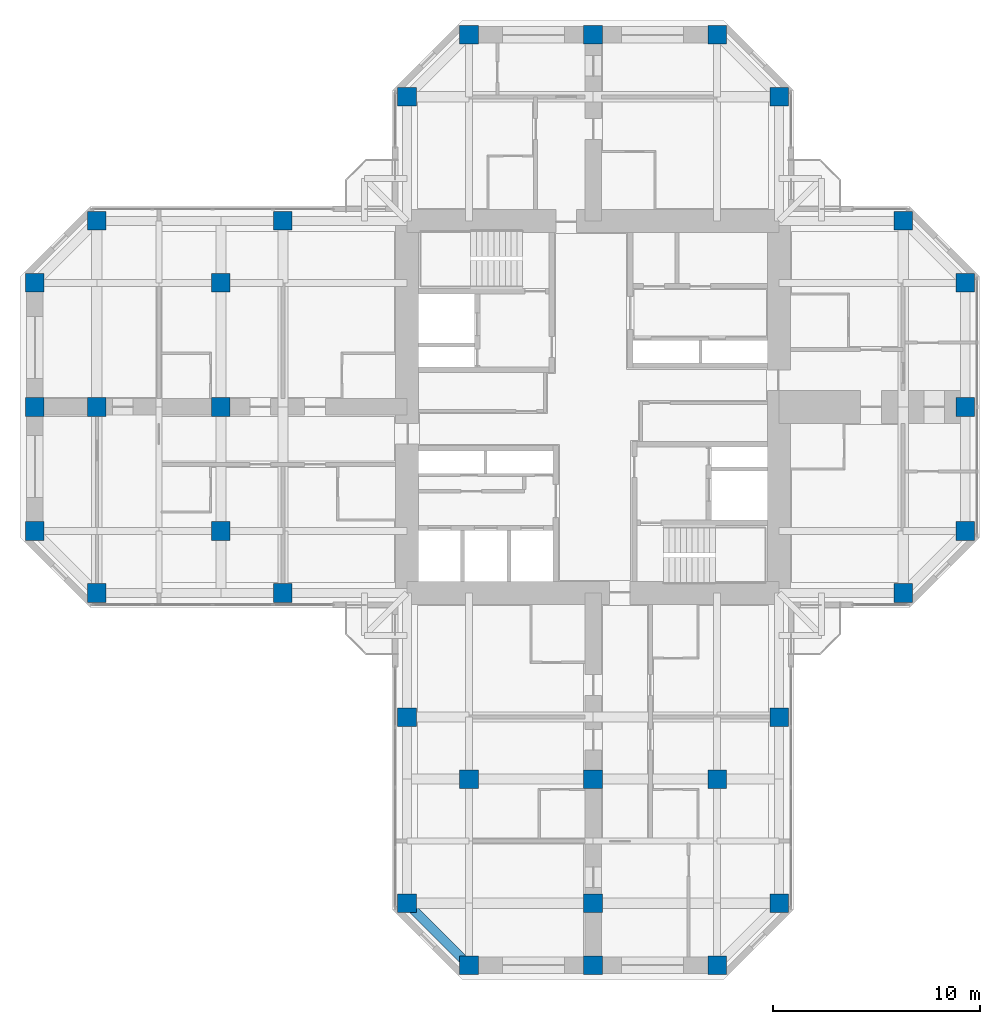
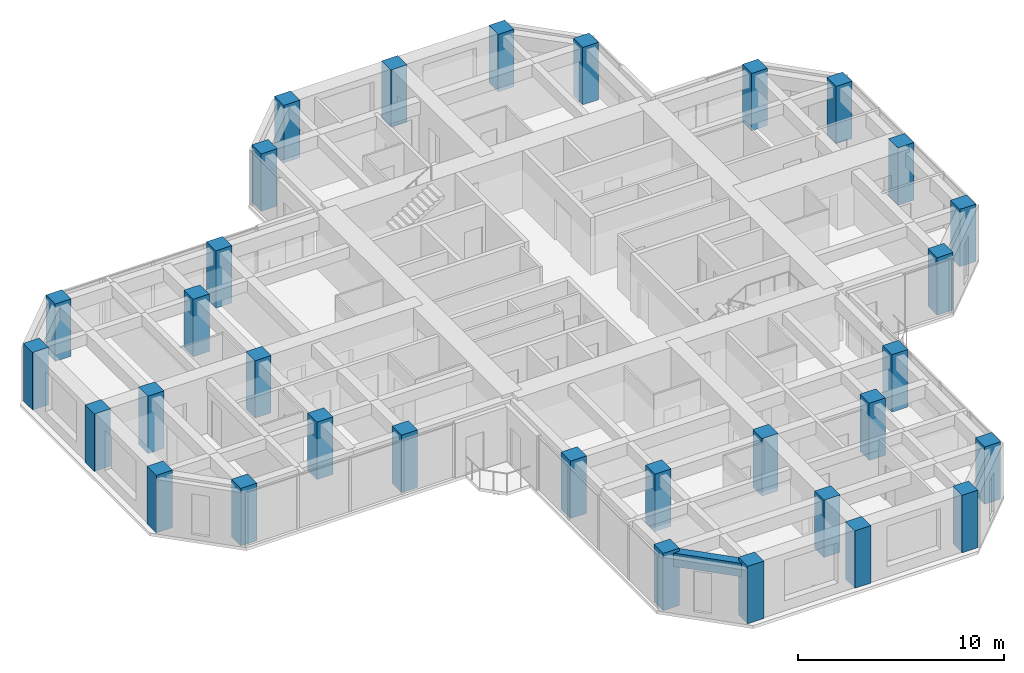
# One storey, part 1 of 14: 32 columns, 1 beam.
"""IFC4 building model written with IfcOpenShell, lengths in metres."""

import ifcopenshell
import ifcopenshell.guid

model = None  # the IFC model being written
_history = None  # IfcOwnerHistory: only IFC2X3 demands one
_inside = {}  # id of a spatial element -> (the spatial element, [elements in it])
_under = {}  # id of a project, library or spatial element -> (it, [spatial elements below it])
_declared = {}  # id of a project -> (the project, [libraries it declares])
_typed = {}  # id of a type object -> (the type object, [elements of that type])
_made_of = {}  # id of a material, layer set ... -> (it, [elements and type objects made of it])


def new_model(schema):
    """Start an empty IFC model of exactly this schema.

    Asked for "IFC4X3", IfcOpenShell would pick the latest addendum, in which some entities
    have other attributes; the version numbers below select the first issue.
    IFC2X3 requires an IfcOwnerHistory on every rooted entity: one is made here for all.
    """
    global model, _history
    if schema == "IFC4X3":
        model = ifcopenshell.file(schema_version=(4, 3, 0, 0))
    else:
        model = ifcopenshell.file(schema=schema)
    _inside.clear()
    _under.clear()
    _declared.clear()
    _typed.clear()
    _made_of.clear()
    _history = None
    if model.schema == "IFC2X3":
        org = make("IfcOrganization", Name="unknown")
        user = make(
            "IfcPersonAndOrganization",
            ThePerson=make("IfcPerson", FamilyName="unknown"),
            TheOrganization=org,
        )
        app = make(
            "IfcApplication",
            ApplicationDeveloper=org,
            Version="unknown",
            ApplicationFullName="unknown",
            ApplicationIdentifier="unknown",
        )
        _history = make(
            "IfcOwnerHistory",
            OwningUser=user,
            OwningApplication=app,
            ChangeAction="ADDED",
            CreationDate=0,
        )
    return model


def make(cls, **values):
    """One entity of the class cls with the attributes given. An attribute that is None is left unset."""
    return model.create_entity(
        cls, **{name: value for name, value in values.items() if value is not None}
    )


def rooted(cls, **values):
    """An entity with a GlobalId (a new one), such as an element, a storey or a relation."""
    return make(cls, GlobalId=ifcopenshell.guid.new(), OwnerHistory=_history, **values)


def si_unit(unit_type, name, prefix=None):
    """IfcSIUnit, for example si_unit("LENGTHUNIT", "METRE", prefix="MILLI")."""
    return make("IfcSIUnit", UnitType=unit_type, Prefix=prefix, Name=name)


def assignment(units):
    """IfcUnitAssignment: the units of a project."""
    return None if units is None else make("IfcUnitAssignment", Units=units)


def point(xyz):
    """IfcCartesianPoint."""
    return None if xyz is None else make("IfcCartesianPoint", Coordinates=xyz)


def direction(xyz):
    """IfcDirection."""
    return None if xyz is None else make("IfcDirection", DirectionRatios=xyz)


def frame(location, z_axis=None, x_axis=None):
    """IfcAxis2Placement3D, a coordinate frame: its origin and axes. An axis left out is left unset."""
    return make(
        "IfcAxis2Placement3D",
        Location=point(location),
        Axis=direction(z_axis),
        RefDirection=direction(x_axis),
    )


def frame_2d(location, x_axis=None):
    """IfcAxis2Placement2D, a coordinate frame in the plane: its origin and x axis."""
    return make(
        "IfcAxis2Placement2D", Location=point(location), RefDirection=direction(x_axis)
    )


def origin():
    """The frame at (0, 0, 0) with its axes left unset."""
    return frame((0.0, 0.0, 0.0))


def origin_2d():
    """The frame at (0, 0) in the plane with its x axis left unset."""
    return frame_2d((0.0, 0.0))


def place(relative_to, where):
    """IfcLocalPlacement: puts the frame where relative to a parent placement (None: the world)."""
    return make(
        "IfcLocalPlacement", PlacementRelTo=relative_to, RelativePlacement=where
    )


def context(
    kind, dimensions, precision=None, world=None, true_north=None, identifier=None
):
    """IfcGeometricRepresentationContext, for example the 3D "Model" context."""
    return make(
        "IfcGeometricRepresentationContext",
        ContextIdentifier=identifier,
        ContextType=kind,
        CoordinateSpaceDimension=dimensions,
        Precision=precision,
        WorldCoordinateSystem=world,
        TrueNorth=true_north,
    )


def subcontext(parent, identifier, kind, view, scale=None):
    """IfcGeometricRepresentationSubContext, for example "Body" below "Model"."""
    return make(
        "IfcGeometricRepresentationSubContext",
        ContextIdentifier=identifier,
        ContextType=kind,
        ParentContext=parent,
        TargetScale=scale,
        TargetView=view,
    )


def project(units=None, contexts=None):
    """IfcProject with its units and contexts."""
    return rooted(
        "IfcProject",
        Name="project",
        RepresentationContexts=contexts,
        UnitsInContext=assignment(units),
    )


def spatial(cls, under=None, at=None, **own):
    """A site, building, storey or space (cls), placed at a placement, below another one or the project."""
    s = rooted(cls, ObjectPlacement=at, **own)
    if under is not None:
        _under.setdefault(under.id(), (under, []))[1].append(s)
    return s


def profile(cls, at=None, kind="AREA", **sizes):
    """A parametric profile (cls). Its sizes go by their IFC names, for example OverallWidth=200.0."""
    return make(cls, ProfileType=kind, Position=at, **sizes)


def rectangle(**sizes):
    """IfcRectangleProfileDef."""
    return profile("IfcRectangleProfileDef", **sizes)


def extrude(swept, where, along, depth):
    """IfcExtrudedAreaSolid: the profile swept, set in the frame where, extruded along a direction by depth."""
    return make(
        "IfcExtrudedAreaSolid",
        SweptArea=swept,
        Position=where,
        ExtrudedDirection=direction(along),
        Depth=depth,
    )


def shape(context_of_items, identifier, shape_type, items):
    """IfcShapeRepresentation: the items that make up one representation, for example the "Body"."""
    return make(
        "IfcShapeRepresentation",
        ContextOfItems=context_of_items,
        RepresentationIdentifier=identifier,
        RepresentationType=shape_type,
        Items=items,
    )


def material(Name=None, Category=None):
    """IfcMaterial."""
    return make("IfcMaterial", Name=Name, Category=Category)


def material_profile(
    of_material, cross_section, Name=None, Category=None, Priority=None
):
    """IfcMaterialProfile: a cross section and its material."""
    return make(
        "IfcMaterialProfile",
        Name=Name,
        Material=of_material,
        Profile=cross_section,
        Priority=Priority,
        Category=Category,
    )


def profile_set(profiles, Name=None, composite=None):
    """IfcMaterialProfileSet."""
    return make(
        "IfcMaterialProfileSet",
        Name=Name,
        MaterialProfiles=profiles,
        CompositeProfile=composite,
    )


def made_of(thing, what):
    """Note that an element or type object is made of a material, layer set ...; save() writes the relation."""
    if what is not None:
        _made_of.setdefault(what.id(), (what, []))[1].append(thing)
    return thing


def type_object(cls, material=None, **own):
    """A type object (cls), such as IfcWallType, which elements share."""
    return made_of(rooted(cls, **own), material)


def element(
    cls,
    number,
    at=None,
    inside=None,
    cuts=None,
    type_object=None,
    material=None,
    context=None,
    identifier="Body",
    shape_type=None,
    held_by="IfcProductDefinitionShape",
    body=None,
    shapes=None,
    **own,
):
    """One element of the class cls, such as IfcWall. Its Tag is "e" and its number.

    at: its placement. inside: the storey or other place that contains it. cuts: it is an
    opening in that element (IfcRelVoidsElement). A single representation is given by context,
    identifier, shape_type and body (its items); several are given by shapes. held_by: the class
    of the entity that holds the representations. save() writes the other relations.
    """
    e = rooted(cls, Tag="e%d" % number, ObjectPlacement=at, **own)
    if body is not None:
        shapes = [shape(context, identifier, shape_type, body)]
    if shapes is not None:
        e.Representation = make(held_by, Representations=shapes)
    if inside is not None:
        _inside.setdefault(inside.id(), (inside, []))[1].append(e)
    if cuts is not None:
        rooted(
            "IfcRelVoidsElement", RelatingBuildingElement=cuts, RelatedOpeningElement=e
        )
    if type_object is not None:
        _typed.setdefault(type_object.id(), (type_object, []))[1].append(e)
    return made_of(e, material)


def aggregate(whole, parts):
    """IfcRelAggregates: a whole, such as a stair, and the parts it consists of."""
    return rooted("IfcRelAggregates", RelatingObject=whole, RelatedObjects=parts)


def save(model, path):
    """Write the relations noted so far, then the file.

    IfcRelAggregates (storeys below a building ...), IfcRelContainedInSpatialStructure (elements
    in a storey), IfcRelDefinesByType, IfcRelAssociatesMaterial and IfcRelDeclares: one each for
    every whole, place, type object, material and project.
    """
    for whole, parts in _under.values():
        aggregate(whole, parts)
    for where, things in _inside.values():
        rooted(
            "IfcRelContainedInSpatialStructure",
            RelatedElements=things,
            RelatingStructure=where,
        )
    for kind, things in _typed.values():
        rooted("IfcRelDefinesByType", RelatedObjects=things, RelatingType=kind)
    for what, things in _made_of.values():
        rooted("IfcRelAssociatesMaterial", RelatedObjects=things, RelatingMaterial=what)
    for by, libraries in _declared.values():
        rooted("IfcRelDeclares", RelatingContext=by, RelatedDefinitions=libraries)
    model.write(path)


model = new_model("IFC4")

# Units and contexts
model_context = context("Model", 3, precision=1e-05, world=origin(), true_north=direction((0.0, 1.0)))
body_context = subcontext(model_context, "Body", "Model", "MODEL_VIEW")
ifc_project = project(units=[si_unit("LENGTHUNIT", "METRE"), si_unit("AREAUNIT", "SQUARE_METRE"), si_unit("VOLUMEUNIT", "CUBIC_METRE"), si_unit("PLANEANGLEUNIT", "RADIAN"), si_unit("MASSUNIT", "GRAM", prefix="KILO")], contexts=[model_context])

# Site, building, storey
site_placement = place(None, origin())
site = spatial("IfcSite", under=ifc_project, at=site_placement, CompositionType="ELEMENT")
building_placement = place(site_placement, origin())
building = spatial("IfcBuilding", under=site, at=building_placement, Name="Torre Cruceta", CompositionType="ELEMENT")
storey_placement = place(building_placement, frame((0.0, 0.0, 172.89990234375)))
storey = spatial("IfcBuildingStorey", under=building, at=storey_placement, Name="L42", CompositionType="ELEMENT", Elevation=172.89990234375)

# Columns
ifc_material_1 = material(Name="Concrete G60 (fck 60 MPa)", Category="concrete")
ifc_material_profile_1 = material_profile(ifc_material_1, rectangle(XDim=0.89990234375, YDim=0.89990234375, at=origin_2d()), Name="RC 900X900")
ifc_profile_set_1 = profile_set([ifc_material_profile_1], Name="Concrete G60 (fck 60 MPa)")
column_type = type_object("IfcColumnType", Name="COLUMN RC 900X900", PredefinedType="COLUMN", material=ifc_profile_set_1)
for number, where, z_axis, x_axis, name in (
    (1, (9.0, 15.0, 0.0), (0.0, 0.0, 1.0), (1.0, 0.0, 0.0), "C6 L42 N chamfer"),
    (2, (-9.0, 15.0, 0.0), (0.0, 0.0, 1.0), (1.0, 0.0, 0.0), "C6 L42 N chamfer"),
    (3, (6.0, 18.0, 0.0), (0.0, 0.0, 1.0), (1.0, 0.0, 0.0), "C6 L42 N tip"),
    (4, (0.0, 18.0, 0.0), (0.0, 0.0, 1.0), (1.0, 0.0, 0.0), "C6 L42 N tip"),
    (5, (-6.0, 18.0, 0.0), (0.0, 0.0, 1.0), (1.0, 0.0, 0.0), "C6 L42 N tip"),
    (6, (15.0, -9.0, 0.0), (0.0, 0.0, 1.0), (1.0, 0.0, 0.0), "C6 L42 E chamfer"),
    (7, (15.0, 9.0, 0.0), (0.0, 0.0, 1.0), (1.0, 0.0, 0.0), "C6 L42 E chamfer"),
    (8, (18.0, -6.0, 0.0), (0.0, 0.0, 1.0), (1.0, 0.0, 0.0), "C6 L42 E tip"),
    (9, (18.0, 0.0, 0.0), (0.0, 0.0, 1.0), (1.0, 0.0, 0.0), "C6 L42 E tip"),
    (10, (18.0, 6.0, 0.0), (0.0, 0.0, 1.0), (1.0, 0.0, 0.0), "C6 L42 E tip"),
    (11, (-9.0, -15.0, 0.0), (0.0, 0.0, 1.0), (1.0, 0.0, 0.0), "C6 L42 S side"),
    (12, (-9.0, -24.0, 0.0), (0.0, 0.0, 1.0), (1.0, 0.0, 0.0), "C6 L42 S chamfer"),
    (13, (9.0, -15.0, 0.0), (0.0, 0.0, 1.0), (1.0, 0.0, 0.0), "C6 L42 S side"),
    (14, (9.0, -24.0, 0.0), (0.0, 0.0, 1.0), (1.0, 0.0, 0.0), "C6 L42 S chamfer"),
    (15, (-6.0, -27.0, 0.0), (0.0, 0.0, 1.0), (1.0, 0.0, 0.0), "C6 L42 S tip"),
    (16, (0.0, -27.0, 0.0), (0.0, 0.0, 1.0), (1.0, 0.0, 0.0), "C6 L42 S tip"),
    (17, (6.0, -27.0, 0.0), (0.0, 0.0, 1.0), (1.0, 0.0, 0.0), "C6 L42 S tip"),
    (18, (-15.0, 9.0, 0.0), (0.0, 0.0, 1.0), (1.0, 0.0, 0.0), "C6 L42 W side"),
    (19, (-24.0, 9.0, 0.0), (0.0, 0.0, 1.0), (1.0, 0.0, 0.0), "C6 L42 W chamfer"),
    (20, (-15.0, -9.0, 0.0), (0.0, 0.0, 1.0), (1.0, 0.0, 0.0), "C6 L42 W side"),
    (21, (-24.0, -9.0, 0.0), (0.0, 0.0, 1.0), (1.0, 0.0, 0.0), "C6 L42 W chamfer"),
    (22, (-27.0, 6.0, 0.0), (0.0, 0.0, 1.0), (1.0, 0.0, 0.0), "C6 L42 W tip"),
    (23, (-27.0, 0.0, 0.0), (0.0, 0.0, 1.0), (1.0, 0.0, 0.0), "C6 L42 W tip"),
    (24, (-27.0, -6.0, 0.0), (0.0, 0.0, 1.0), (1.0, 0.0, 0.0), "C6 L42 W tip"),
    (25, (-6.0, -18.0, 0.0), (0.0, 0.0, 1.0), (1.0, 0.0, 0.0), "C6 L42 S interior"),
    (26, (0.0, -18.0, 0.0), (0.0, 0.0, 1.0), (1.0, 0.0, 0.0), "C6 L42 S interior"),
    (27, (6.0, -18.0, 0.0), (0.0, 0.0, 1.0), (1.0, 0.0, 0.0), "C6 L42 S interior"),
    (28, (0.0, -24.0, 0.0), (0.0, 0.0, 1.0), (1.0, 0.0, 0.0), "C6 L42 S interior"),
    (29, (-18.0, 6.0, 0.0), (0.0, 0.0, 1.0), (1.0, 0.0, 0.0), "C6 L42 W interior"),
    (30, (-18.0, 0.0, 0.0), (0.0, 0.0, 1.0), (1.0, 0.0, 0.0), "C6 L42 W interior"),
    (31, (-18.0, -6.0, 0.0), (0.0, 0.0, 1.0), (1.0, 0.0, 0.0), "C6 L42 W interior"),
    (32, (-24.0, 0.0, 0.0), (0.0, 0.0, 1.0), (1.0, 0.0, 0.0), "C6 L42 W interior"),
):
    element("IfcColumn", number, at=place(storey_placement, frame(where, z_axis=z_axis, x_axis=x_axis)), inside=storey, type_object=column_type, Name=name, PredefinedType="COLUMN", context=body_context, shape_type="SweptSolid", body=[
        extrude(rectangle(XDim=0.89990234375, YDim=0.89990234375, at=origin_2d()), origin(), (0.0, 0.0, 1.0), 3.400146484375),
    ])

# Beam
ifc_material_2 = material(Name="Concrete G60 (fck 60 MPa)", Category="concrete")
ifc_material_profile_2 = material_profile(ifc_material_2, rectangle(XDim=0.449951171875, YDim=0.800048828125, at=origin_2d()), Name="RC 450X800")
ifc_profile_set_2 = profile_set([ifc_material_profile_2], Name="Concrete G60 (fck 60 MPa)")
beam_type = type_object("IfcBeamType", Name="SPANDREL BEAM RC 450X800", PredefinedType="SPANDREL", material=ifc_profile_set_2)
beam_placement = place(storey_placement, frame((-9.0, -24.0, 2.820068359375), z_axis=(0.707106781187, -0.707106781187, 0.0), x_axis=(0.707106781187, 0.707106781187, 0.0)))
element("IfcBeam", 33, at=beam_placement, inside=storey, type_object=beam_type, Name="SB6 L42 S side- 5", PredefinedType="SPANDREL", context=body_context, shape_type="SweptSolid", body=[
    extrude(rectangle(XDim=0.449951171875, YDim=0.800048828125, at=origin_2d()), origin(), (0.0, 0.0, 1.0), 4.24267578125),
])

save(model, "model.ifc")
